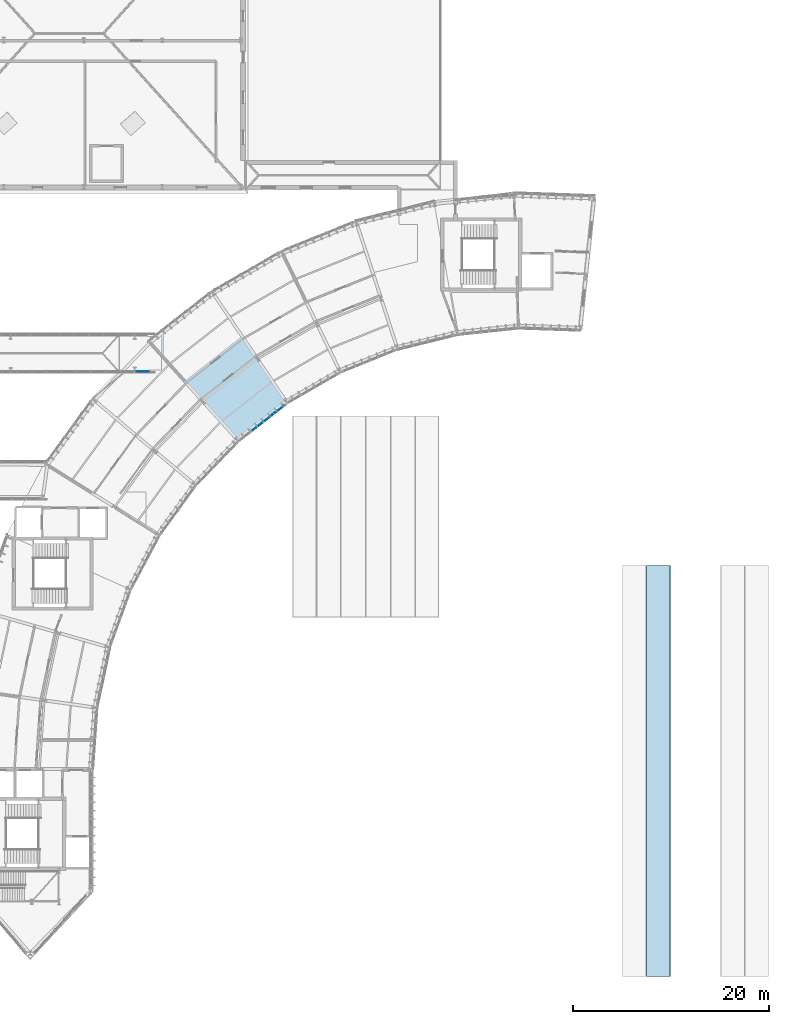
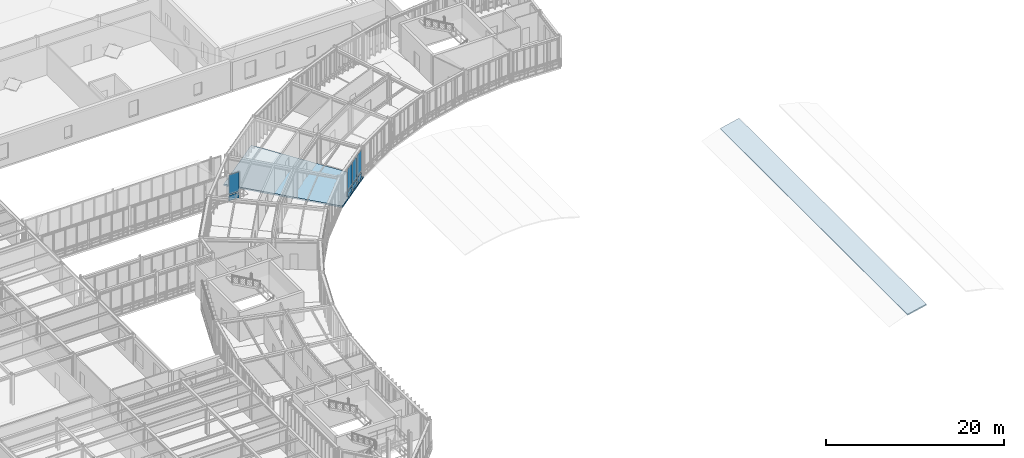
# One storey, part 29 of 57: 8 plates, 2 slabs, 2 elements without a shape of their own.
"""IFC4 building model written with IfcOpenShell, lengths in metres."""

from ifc_helpers import new_model, si_unit, direction, frame, origin, origin_2d, place, context, subcontext, project, spatial, polyline, rectangle, outline, extrude, material, layer, layer_set, type_object, element, aggregate, save


model = new_model("IFC4")

# Units and contexts
model_context = context("Model", 3, precision=1e-05, world=origin(), true_north=direction((0.0, 1.0)))
body_context = subcontext(model_context, "Body", "Model", "MODEL_VIEW")
ifc_project = project(units=[si_unit("LENGTHUNIT", "METRE"), si_unit("AREAUNIT", "SQUARE_METRE"), si_unit("VOLUMEUNIT", "CUBIC_METRE"), si_unit("PLANEANGLEUNIT", "RADIAN"), si_unit("MASSUNIT", "GRAM", prefix="KILO"), si_unit("THERMODYNAMICTEMPERATUREUNIT", "KELVIN"), si_unit("POWERUNIT", "WATT")], contexts=[model_context])

# Site, building, storey
site_placement = place(None, origin())
site = spatial("IfcSite", under=ifc_project, at=site_placement, CompositionType="ELEMENT")
building_placement = place(site_placement, origin())
building = spatial("IfcBuilding", under=site, at=building_placement, Name="Solvatero Civic Police Headquarters", CompositionType="ELEMENT")
storey_placement = place(building_placement, frame((0.0, 0.0, 9.300048828125)))
storey = spatial("IfcBuildingStorey", under=building, at=storey_placement, Name="L02", CompositionType="ELEMENT", Elevation=9.300048828125)

# Curtain wall, plates
ifc_material_1 = material(Name="Anodized Bronze Aluminium", Category="aluminium")
ifc_layer_1 = layer(ifc_material_1, 0.179931640625)
ifc_layer_set_1 = layer_set([ifc_layer_1], Name="Anodized Bronze Aluminium")
curtain_wall_type_1 = type_object("IfcCurtainWallType", Name="CW-ARC-IN", PredefinedType="USERDEFINED", material=ifc_layer_set_1)
curtain_wall_1_placement = place(storey_placement, origin())
curtain_wall_1 = element("IfcCurtainWall", 1, at=curtain_wall_1_placement, inside=storey, type_object=curtain_wall_type_1, Name="Curtain Wall CW-R2-L02-ARC-IN-B06", ObjectType="UNITISED", PredefinedType="USERDEFINED")
ifc_material_2 = material(Name="Triple Low-E Laminated Glass", Category="glass")
ifc_layer_2 = layer(ifc_material_2, 0.0380859375)
ifc_layer_set_2 = layer_set([ifc_layer_2], Name="Triple Low-E Laminated Glass")
plate_type_1 = type_object("IfcPlateType", Name="CWP-GLZ-38", PredefinedType="CURTAIN_PANEL", material=ifc_layer_set_2)
plate_1_placement = place(storey_placement, frame((67.968994140625, 62.781005859375, 0.91015625), z_axis=(0.0, 0.0, 1.0), x_axis=(-0.788010753607, -0.615661475326, 0.0)))
plate_1 = element("IfcPlate", 2, at=plate_1_placement, type_object=plate_type_1, Name="CW-R2-L02-ARC-IN-B06 Vision Glazing 1", PredefinedType="CURTAIN_PANEL", context=body_context, shape_type="SweptSolid", body=[
    extrude(rectangle(XDim=1.25341796875, YDim=0.0380859375, at=origin_2d()), origin(), (0.0, 0.0, 1.0), 2.969970703125),
])
plate_2_placement = place(storey_placement, frame((65.710205078125, 61.01611328125, 0.91015625), z_axis=(0.0, 0.0, 1.0), x_axis=(-0.788010753607, -0.615661475326, 0.0)))
plate_2 = element("IfcPlate", 3, at=plate_2_placement, type_object=plate_type_1, Name="CW-R2-L02-ARC-IN-B06 Vision Glazing 3", PredefinedType="CURTAIN_PANEL", context=body_context, shape_type="SweptSolid", body=[
    extrude(rectangle(XDim=1.25341796875, YDim=0.0380859375, at=origin_2d()), origin(), (0.0, 0.0, 1.0), 2.969970703125),
])
ifc_material_3 = material(Name="Acoustic Ballistic Laminated Glass", Category="glass")
ifc_layer_3 = layer(ifc_material_3, 0.0439453125)
ifc_layer_set_3 = layer_set([ifc_layer_3], Name="Acoustic Ballistic Laminated Glass")
plate_type_2 = type_object("IfcPlateType", Name="CWP-GLZ-44", PredefinedType="CURTAIN_PANEL", material=ifc_layer_set_3)
plate_3_placement = place(storey_placement, frame((66.839599609375, 61.898681640625, 0.91015625), z_axis=(0.0, 0.0, 1.0), x_axis=(-0.788010753607, -0.615661475326, 0.0)))
plate_3 = element("IfcPlate", 4, at=plate_3_placement, type_object=plate_type_2, Name="CW-R2-L02-ARC-IN-B06 Vision Glazing 2", PredefinedType="CURTAIN_PANEL", context=body_context, shape_type="SweptSolid", body=[
    extrude(rectangle(XDim=1.25341796875, YDim=0.0439453125, at=origin_2d()), origin(), (0.0, 0.0, 1.0), 2.969970703125),
])

# Curtain wall, plate
ifc_layer_4 = layer(ifc_material_1, 0.179931640625)
ifc_layer_set_4 = layer_set([ifc_layer_4], Name="Anodized Bronze Aluminium")
curtain_wall_type_2 = type_object("IfcCurtainWallType", Name="CW-SB-GLZ", PredefinedType="USERDEFINED", material=ifc_layer_set_4)
curtain_wall_2_placement = place(storey_placement, origin())
curtain_wall_2 = element("IfcCurtainWall", 5, at=curtain_wall_2_placement, inside=storey, type_object=curtain_wall_type_2, Name="Curtain Wall CW-R2-L02-SB2-S", ObjectType="UNITISED", PredefinedType="USERDEFINED")
plate_4_placement = place(storey_placement, frame((53.986328125, 66.64990234375, 0.91015625), z_axis=(0.0, 0.0, 1.0), x_axis=(1.0, 0.0, 0.0)))
plate_4 = element("IfcPlate", 6, at=plate_4_placement, type_object=plate_type_2, Name="CW-R2-L02-SB2-S Vision Glazing 17", PredefinedType="CURTAIN_PANEL", context=body_context, shape_type="SweptSolid", body=[
    extrude(rectangle(XDim=1.327392578125, YDim=0.0439453125, at=origin_2d()), origin(), (0.0, 0.0, 1.0), 2.679931640625),
])

# Plate
ifc_material_4 = material(Name="Insulated Bronze Aluminium Spandrel", Category="aluminium")
ifc_layer_5 = layer(ifc_material_4, 0.06005859375)
ifc_layer_set_5 = layer_set([ifc_layer_5], Name="Insulated Bronze Aluminium Spandrel")
plate_type_3 = type_object("IfcPlateType", Name="CWP-SPN-60", PredefinedType="CURTAIN_PANEL", material=ifc_layer_set_5)
plate_5_placement = place(storey_placement, frame((67.968994140625, 62.781005859375, 0.06005859375), z_axis=(0.0, 0.0, 1.0), x_axis=(-0.788010753607, -0.615661475326, 0.0)))
plate_5 = element("IfcPlate", 7, at=plate_5_placement, type_object=plate_type_3, Name="CW-R2-L02-ARC-IN-B06 Spandrel Panel 1", PredefinedType="CURTAIN_PANEL", context=body_context, shape_type="SweptSolid", body=[
    extrude(rectangle(XDim=1.25341796875, YDim=0.06005859375, at=origin_2d()), origin(), (0.0, 0.0, 1.0), 0.72998046875),
])

plate_6_placement = place(storey_placement, frame((65.710205078125, 61.01611328125, 0.06005859375), z_axis=(0.0, 0.0, 1.0), x_axis=(-0.788010753607, -0.615661475326, 0.0)))
plate_6 = element("IfcPlate", 8, at=plate_6_placement, type_object=plate_type_3, Name="CW-R2-L02-ARC-IN-B06 Spandrel Panel 3", PredefinedType="CURTAIN_PANEL", context=body_context, shape_type="SweptSolid", body=[
    extrude(rectangle(XDim=1.25341796875, YDim=0.06005859375, at=origin_2d()), origin(), (0.0, 0.0, 1.0), 0.72998046875),
])

ifc_material_5 = material(Name="Limestone Veneer Spandrel Panel", Category="masonry")
ifc_layer_6 = layer(ifc_material_5, 0.074951171875)
ifc_layer_set_6 = layer_set([ifc_layer_6], Name="Limestone Veneer Spandrel Panel")
plate_type_4 = type_object("IfcPlateType", Name="CWP-SPN-75", PredefinedType="CURTAIN_PANEL", material=ifc_layer_set_6)
plate_7_placement = place(storey_placement, frame((66.839599609375, 61.898681640625, 0.06005859375), z_axis=(0.0, 0.0, 1.0), x_axis=(-0.788010753607, -0.615661475326, 0.0)))
plate_7 = element("IfcPlate", 9, at=plate_7_placement, type_object=plate_type_4, Name="CW-R2-L02-ARC-IN-B06 Spandrel Panel 2", PredefinedType="CURTAIN_PANEL", context=body_context, shape_type="SweptSolid", body=[
    extrude(rectangle(XDim=1.25341796875, YDim=0.074951171875, at=origin_2d()), origin(), (0.0, 0.0, 1.0), 0.72998046875),
])

aggregate(curtain_wall_1, [plate_5, plate_1, plate_7, plate_3, plate_6, plate_2])

plate_8_placement = place(storey_placement, frame((53.986328125, 66.64990234375, 0.06005859375), z_axis=(0.0, 0.0, 1.0), x_axis=(1.0, 0.0, 0.0)))
plate_8 = element("IfcPlate", 10, at=plate_8_placement, type_object=plate_type_4, Name="CW-R2-L02-SB2-S Spandrel Panel 17", PredefinedType="CURTAIN_PANEL", context=body_context, shape_type="SweptSolid", body=[
    extrude(rectangle(XDim=1.327392578125, YDim=0.074951171875, at=origin_2d()), origin(), (0.0, 0.0, 1.0), 0.72998046875),
])

aggregate(curtain_wall_2, [plate_8, plate_4])

# Slabs
ifc_material_6 = material(Name="Concrete C35/45", Category="concrete")
ifc_layer_7 = layer(ifc_material_6, 0.199951171875)
ifc_layer_set_7 = layer_set([ifc_layer_7], Name="Concrete C35/45")
slab_type_1 = type_object("IfcSlabType", Name="SLB-COMP-200", PredefinedType="FLOOR", material=ifc_layer_set_7)
slab_1_placement = place(storey_placement, frame((0.0, 0.0, -0.219970703125)))
element("IfcSlab", 11, at=slab_1_placement, inside=storey, type_object=slab_type_1, Name="L02 Operations Arc Floor Slab Bay 6", PredefinedType="FLOOR", context=body_context, shape_type="SweptSolid", body=[
    extrude(outline(polyline([(61.006103515625, 74.912109375), (68.834716796875, 63.305419921875), (63.88916015625, 59.44140625), (54.521240234375, 69.845458984375), (61.006103515625, 74.912109375)])), origin(), (0.0, 0.0, 1.0), 0.219970703125),
])
ifc_layer_8 = layer(ifc_material_6, 0.159912109375)
ifc_layer_set_8 = layer_set([ifc_layer_8], Name="Concrete C35/45")
slab_type_2 = type_object("IfcSlabType", Name="SLB-RF-VLT-160", PredefinedType="ROOF", material=ifc_layer_set_8)
slab_2_placement = place(storey_placement, frame((105.47412109375, 4.840087890625, 3.7587890625), z_axis=(-0.218490375273, 0.0, 0.975839103497), x_axis=(0.975839103497, 0.0, 0.218490375273)))
element("IfcSlab", 12, at=slab_2_placement, inside=storey, type_object=slab_type_2, Name="VLT1 Barrel Vault Roof Slab Facet 4", PredefinedType="ROOF", context=body_context, shape_type="SweptSolid", body=[
    extrude(outline(polyline([(0.0, 0.0), (2.5018532678716623, 0.0), (2.5018532678716623, 41.9599609375), (0.0, 41.9599609375), (0.0, 0.0)])), origin(), (0.0, 0.0, -1.0), 0.159912109375),
])

save(model, "model.ifc")
